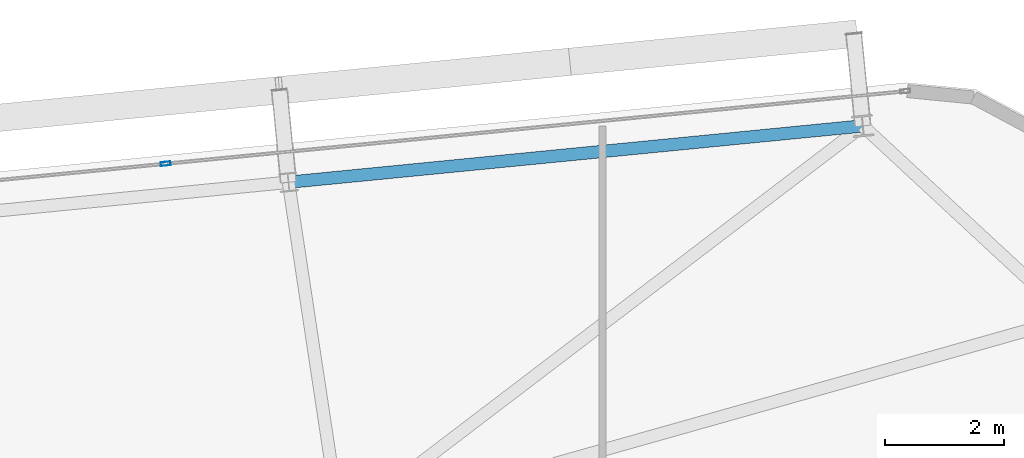
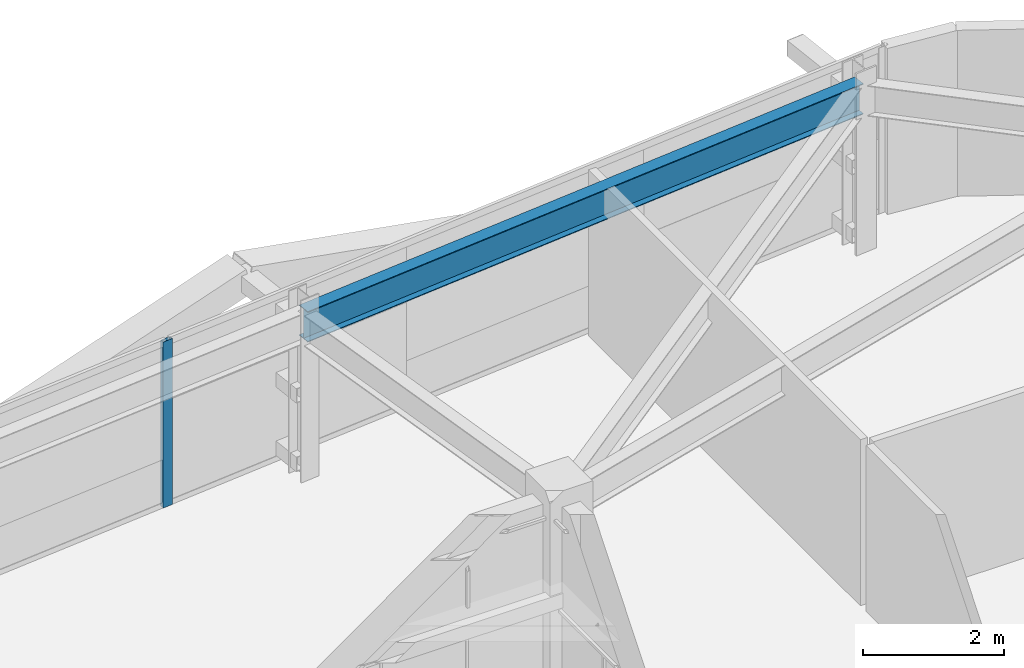
# One storey, part 29 of 47: 1 beam, 1 member, 1 element without a shape of its own.
"""IFC4 building model written with IfcOpenShell, lengths in metres."""

from ifc_helpers import new_model, si_unit, direction, frame, origin, origin_2d, place, context, subcontext, project, spatial, hollow_rectangle, i_section, extrude, source, transform, mapped, material, layer, layer_set, material_profile, profile_set, type_object, element, aggregate, save


model = new_model("IFC4")

# Units and contexts
model_context = context("Model", 3, precision=1e-05, world=origin(), true_north=direction((0.0, 1.0)))
body_context = subcontext(model_context, "Body", "Model", "MODEL_VIEW")
ifc_project = project(units=[si_unit("LENGTHUNIT", "METRE"), si_unit("AREAUNIT", "SQUARE_METRE"), si_unit("VOLUMEUNIT", "CUBIC_METRE"), si_unit("PLANEANGLEUNIT", "RADIAN"), si_unit("MASSUNIT", "GRAM", prefix="KILO")], contexts=[model_context])

# Site, building, storey
site_placement = place(None, origin())
site = spatial("IfcSite", under=ifc_project, at=site_placement, CompositionType="ELEMENT")
building_placement = place(site_placement, origin())
building = spatial("IfcBuilding", under=site, at=building_placement, Name="Taldren Reach Tower", CompositionType="ELEMENT")
storey_placement = place(building_placement, frame((0.0, 0.0, 109.199951171875)))
storey = spatial("IfcBuildingStorey", under=building, at=storey_placement, Name="L33", CompositionType="ELEMENT", Elevation=109.199951171875)

# Beam
ifc_material_1 = material(Name="Steel Gr 350 (350PLUS)", Category="steel")
ifc_material_profile_1 = material_profile(ifc_material_1, i_section(OverallWidth=0.208984375, OverallDepth=0.528076171875, WebThickness=0.009521484375, FlangeThickness=0.01318359375, at=origin_2d()), Name="530UB82.0")
ifc_profile_set_1 = profile_set([ifc_material_profile_1], Name="Steel Gr 350 (350PLUS)")
beam_type = type_object("IfcBeamType", Name="SP-UB530B", PredefinedType="SPANDREL", material=ifc_profile_set_1)
shared_shape_1 = source(origin(), body_context, "Body", "SweptSolid", [
    extrude(i_section(OverallWidth=0.208984375, OverallDepth=0.528076171875, WebThickness=0.009521484375, FlangeThickness=0.01318359375, at=origin_2d()), origin(), (0.0, 0.0, 1.0), 9.679931640625),
])
beam_placement = place(storey_placement, frame((59.765869140625, 38.679931640625, 2.60595703125), z_axis=(-0.995227612658, -0.097580730699, 0.0), x_axis=(0.097580730699, -0.995227612658, 0.0)))
element("IfcBeam", 1, at=beam_placement, inside=storey, type_object=beam_type, Name="Perimeter spandrel B2 N6-N5 L33", PredefinedType="SPANDREL", context=body_context, shape_type="MappedRepresentation", body=[
    mapped(shared_shape_1, transform((0.0, 0.0, 0.0), scale=1.0)),
])

# Curtain wall, member
ifc_material_2 = material(Name="Aluminium and Low-E Glass Unitised System", Category="aluminium")
ifc_layer = layer(ifc_material_2, 0.159912109375)
ifc_layer_set = layer_set([ifc_layer], Name="Aluminium and Low-E Glass Unitised System")
curtain_wall_type = type_object("IfcCurtainWallType", Name="CW-SYS-3", PredefinedType="NOTDEFINED", material=ifc_layer_set)
curtain_wall_placement = place(storey_placement, origin())
curtain_wall = element("IfcCurtainWall", 2, at=curtain_wall_placement, inside=storey, type_object=curtain_wall_type, Name="Unitised curtain wall CW-L33-N", PredefinedType="NOTDEFINED")
ifc_material_3 = material(Name="Anodised Aluminium 6063-T6", Category="aluminium")
ifc_material_profile_2 = material_profile(ifc_material_3, hollow_rectangle(XDim=0.06494140625, YDim=0.1650390625, WallThickness=0.00390625, at=origin_2d()), Name="ALU-165x65x4RHS")
ifc_profile_set_2 = profile_set([ifc_material_profile_2], Name="Anodised Aluminium 6063-T6")
member_type = type_object("IfcMemberType", Name="CW-MUL-165", PredefinedType="MULLION", material=ifc_profile_set_2)
shared_shape_2 = source(origin(), body_context, "Body", "SweptSolid", [
    extrude(hollow_rectangle(XDim=0.06494140625, YDim=0.1650390625, WallThickness=0.00390625, at=origin_2d()), origin(), (0.0, 0.0, 1.0), 2.8701171875),
])
member_placement = place(storey_placement, frame((48.072021484375, 38.045654296875, 0.0), z_axis=(0.0, 0.0, 1.0), x_axis=(0.097582999046, -0.995227390247, 0.0)))
member = element("IfcMember", 3, at=member_placement, type_object=member_type, Name="CW-3 mullion 2", PredefinedType="MULLION", context=body_context, shape_type="MappedRepresentation", body=[
    mapped(shared_shape_2, transform((0.0, 0.0, 0.0), scale=1.0)),
])
aggregate(curtain_wall, [member])

save(model, "model.ifc")
